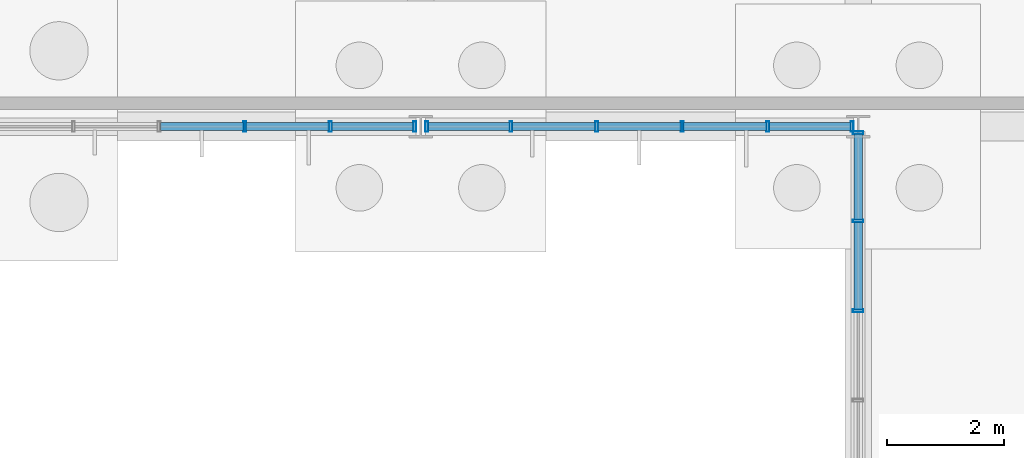
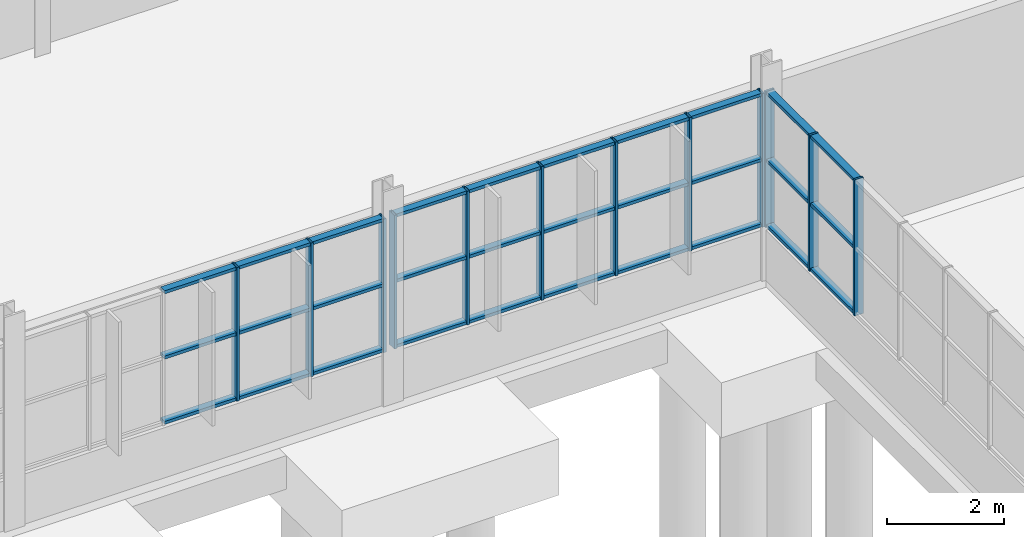
# One storey, part 63 of 136: 42 members, 3 elements without a shape of their own.
"""IFC4 building model written with IfcOpenShell, lengths in metres."""

from ifc_helpers import new_model, si_unit, direction, frame, origin, origin_2d, place, context, subcontext, project, spatial, hollow_rectangle, extrude, material, layer, layer_set, material_profile, profile_set, type_object, element, aggregate, save


model = new_model("IFC4")

# Units and contexts
model_context = context("Model", 3, precision=1e-05, world=origin(), true_north=direction((0.0, 1.0)))
body_context = subcontext(model_context, "Body", "Model", "MODEL_VIEW")
ifc_project = project(units=[si_unit("LENGTHUNIT", "METRE"), si_unit("AREAUNIT", "SQUARE_METRE"), si_unit("VOLUMEUNIT", "CUBIC_METRE"), si_unit("PLANEANGLEUNIT", "RADIAN"), si_unit("MASSUNIT", "GRAM", prefix="KILO")], contexts=[model_context])

# Site, building, storey
site_placement = place(None, origin())
site = spatial("IfcSite", under=ifc_project, at=site_placement, CompositionType="ELEMENT")
building_placement = place(site_placement, origin())
building = spatial("IfcBuilding", under=site, at=building_placement, Name="Solvenia Promenade Tram Depot", CompositionType="ELEMENT")
storey_placement = place(building_placement, origin())
storey = spatial("IfcBuildingStorey", under=building, at=storey_placement, Name="L00", CompositionType="ELEMENT", Elevation=0.0)

# Curtain wall, members
ifc_material = material(Name="Anodized aluminium AW-6063 T6", Category="aluminium")
ifc_layer = layer(ifc_material, 0.14990234375, Name="Anodized aluminium AW-6063 T6", Category="aluminium")
ifc_layer_set = layer_set([ifc_layer], Name="Anodized aluminium AW-6063 T6")
curtain_wall_type = type_object("IfcCurtainWallType", Name="CW-Court-1500", PredefinedType="NOTDEFINED", material=ifc_layer_set)
curtain_wall_1_placement = place(storey_placement, origin())
curtain_wall_1 = element("IfcCurtainWall", 1, at=curtain_wall_1_placement, inside=storey, type_object=curtain_wall_type, Name="Curtain Wall CW-V1S0-07", PredefinedType="NOTDEFINED")
ifc_material_profile_1 = material_profile(ifc_material, hollow_rectangle(XDim=0.179931640625, YDim=0.050048828125, WallThickness=0.00390625, at=origin_2d()), Name="ALU-M2", Category="aluminium")
ifc_profile_set_1 = profile_set([ifc_material_profile_1], Name="Anodized aluminium AW-6063 T6")
member_type_1 = type_object("IfcMemberType", Name="CWM-Mullion-2", PredefinedType="MULLION", material=ifc_profile_set_1)
member_1_placement = place(storey_placement, frame((94.48388671875, 66.0, 1.050048828125), z_axis=(0.0, 0.0, 1.0), x_axis=(0.0, 1.0, 0.0)))
member_1 = element("IfcMember", 2, at=member_1_placement, type_object=member_type_1, Name="CW-5 mullion 4", PredefinedType="MULLION", context=body_context, shape_type="SweptSolid", body=[
    extrude(hollow_rectangle(XDim=0.179931640625, YDim=0.050048828125, WallThickness=0.00390625, at=origin_2d()), origin(), (0.0, 0.0, 1.0), 2.800048828125),
])
member_2_placement = place(storey_placement, frame((95.951904296875, 66.0, 1.050048828125), z_axis=(0.0, 0.0, 1.0), x_axis=(0.0, 1.0, 0.0)))
member_2 = element("IfcMember", 3, at=member_2_placement, type_object=member_type_1, Name="CW-5 mullion 5", PredefinedType="MULLION", context=body_context, shape_type="SweptSolid", body=[
    extrude(hollow_rectangle(XDim=0.179931640625, YDim=0.050048828125, WallThickness=0.00390625, at=origin_2d()), origin(), (0.0, 0.0, 1.0), 2.800048828125),
])
member_3_placement = place(storey_placement, frame((97.39501953125, 66.0, 1.050048828125), z_axis=(0.0, 0.0, 1.0), x_axis=(0.0, 1.0, 0.0)))
member_3 = element("IfcMember", 4, at=member_3_placement, type_object=member_type_1, Name="CW-5 mullion 6", PredefinedType="MULLION", context=body_context, shape_type="SweptSolid", body=[
    extrude(hollow_rectangle(XDim=0.179931640625, YDim=0.050048828125, WallThickness=0.00390625, at=origin_2d()), origin(), (0.0, 0.0, 1.0), 2.800048828125),
])

curtain_wall_2_placement = place(storey_placement, origin())
curtain_wall_2 = element("IfcCurtainWall", 5, at=curtain_wall_2_placement, inside=storey, type_object=curtain_wall_type, Name="Curtain Wall CW-V1S0-08", PredefinedType="NOTDEFINED")
member_4_placement = place(storey_placement, frame((97.60498046875, 66.0, 1.050048828125), z_axis=(0.0, 0.0, 1.0), x_axis=(0.0, 1.0, 0.0)))
member_4 = element("IfcMember", 6, at=member_4_placement, type_object=member_type_1, Name="CW-5 mullion 1", PredefinedType="MULLION", context=body_context, shape_type="SweptSolid", body=[
    extrude(hollow_rectangle(XDim=0.179931640625, YDim=0.050048828125, WallThickness=0.00390625, at=origin_2d()), origin(), (0.0, 0.0, 1.0), 2.800048828125),
])
member_5_placement = place(storey_placement, frame((99.048095703125, 66.0, 1.050048828125), z_axis=(0.0, 0.0, 1.0), x_axis=(0.0, 1.0, 0.0)))
member_5 = element("IfcMember", 7, at=member_5_placement, type_object=member_type_1, Name="CW-5 mullion 2", PredefinedType="MULLION", context=body_context, shape_type="SweptSolid", body=[
    extrude(hollow_rectangle(XDim=0.179931640625, YDim=0.050048828125, WallThickness=0.00390625, at=origin_2d()), origin(), (0.0, 0.0, 1.0), 2.800048828125),
])
member_6_placement = place(storey_placement, frame((100.51611328125, 66.0, 1.050048828125), z_axis=(0.0, 0.0, 1.0), x_axis=(0.0, 1.0, 0.0)))
member_6 = element("IfcMember", 8, at=member_6_placement, type_object=member_type_1, Name="CW-5 mullion 3", PredefinedType="MULLION", context=body_context, shape_type="SweptSolid", body=[
    extrude(hollow_rectangle(XDim=0.179931640625, YDim=0.050048828125, WallThickness=0.00390625, at=origin_2d()), origin(), (0.0, 0.0, 1.0), 2.800048828125),
])
member_7_placement = place(storey_placement, frame((101.98388671875, 66.0, 1.050048828125), z_axis=(0.0, 0.0, 1.0), x_axis=(0.0, 1.0, 0.0)))
member_7 = element("IfcMember", 9, at=member_7_placement, type_object=member_type_1, Name="CW-5 mullion 4", PredefinedType="MULLION", context=body_context, shape_type="SweptSolid", body=[
    extrude(hollow_rectangle(XDim=0.179931640625, YDim=0.050048828125, WallThickness=0.00390625, at=origin_2d()), origin(), (0.0, 0.0, 1.0), 2.800048828125),
])
member_8_placement = place(storey_placement, frame((103.451904296875, 66.0, 1.050048828125), z_axis=(0.0, 0.0, 1.0), x_axis=(0.0, 1.0, 0.0)))
member_8 = element("IfcMember", 10, at=member_8_placement, type_object=member_type_1, Name="CW-5 mullion 5", PredefinedType="MULLION", context=body_context, shape_type="SweptSolid", body=[
    extrude(hollow_rectangle(XDim=0.179931640625, YDim=0.050048828125, WallThickness=0.00390625, at=origin_2d()), origin(), (0.0, 0.0, 1.0), 2.800048828125),
])
member_9_placement = place(storey_placement, frame((104.89501953125, 66.0, 1.050048828125), z_axis=(0.0, 0.0, 1.0), x_axis=(0.0, 1.0, 0.0)))
member_9 = element("IfcMember", 11, at=member_9_placement, type_object=member_type_1, Name="CW-5 mullion 6", PredefinedType="MULLION", context=body_context, shape_type="SweptSolid", body=[
    extrude(hollow_rectangle(XDim=0.179931640625, YDim=0.050048828125, WallThickness=0.00390625, at=origin_2d()), origin(), (0.0, 0.0, 1.0), 2.800048828125),
])

curtain_wall_3_placement = place(storey_placement, origin())
curtain_wall_3 = element("IfcCurtainWall", 12, at=curtain_wall_3_placement, inside=storey, type_object=curtain_wall_type, Name="Curtain Wall CW-V2W-L0-2", PredefinedType="NOTDEFINED")
member_10_placement = place(storey_placement, frame((105.0, 62.844482421875, 1.050048828125), z_axis=(0.0, 0.0, 1.0), x_axis=(-1.0, 0.0, 0.0)))
member_10 = element("IfcMember", 13, at=member_10_placement, type_object=member_type_1, Name="CW-5 mullion 8", PredefinedType="MULLION", context=body_context, shape_type="SweptSolid", body=[
    extrude(hollow_rectangle(XDim=0.179931640625, YDim=0.050048828125, WallThickness=0.00390625, at=origin_2d()), origin(), (0.0, 0.0, 1.0), 2.849853515625),
])
member_11_placement = place(storey_placement, frame((105.0, 64.38232421875, 1.050048828125), z_axis=(0.0, 0.0, 1.0), x_axis=(-1.0, 0.0, 0.0)))
member_11 = element("IfcMember", 14, at=member_11_placement, type_object=member_type_1, Name="CW-5 mullion 9", PredefinedType="MULLION", context=body_context, shape_type="SweptSolid", body=[
    extrude(hollow_rectangle(XDim=0.179931640625, YDim=0.050048828125, WallThickness=0.00390625, at=origin_2d()), origin(), (0.0, 0.0, 1.0), 2.849853515625),
])
member_12_placement = place(storey_placement, frame((105.0, 65.89501953125, 1.050048828125), z_axis=(0.0, 0.0, 1.0), x_axis=(-1.0, 0.0, 0.0)))
member_12 = element("IfcMember", 15, at=member_12_placement, type_object=member_type_1, Name="CW-5 mullion 10", PredefinedType="MULLION", context=body_context, shape_type="SweptSolid", body=[
    extrude(hollow_rectangle(XDim=0.179931640625, YDim=0.050048828125, WallThickness=0.00390625, at=origin_2d()), origin(), (0.0, 0.0, 1.0), 2.849853515625),
])

# Member
ifc_material_profile_2 = material_profile(ifc_material, hollow_rectangle(XDim=0.139892578125, YDim=0.06494140625, WallThickness=0.00390625, at=origin_2d()), Name="ALU-T2", Category="aluminium")
ifc_profile_set_2 = profile_set([ifc_material_profile_2], Name="Anodized aluminium AW-6063 T6")
member_type_2 = type_object("IfcMemberType", Name="CWT-Transom-2", PredefinedType="USERDEFINED", material=ifc_profile_set_2)
member_13_placement = place(storey_placement, frame((93.041015625, 66.0, 1.08251953125), z_axis=(1.0, 0.0, 0.0), x_axis=(0.0, 1.0, 0.0)))
member_13 = element("IfcMember", 16, at=member_13_placement, type_object=member_type_2, Name="CW-5 transom 3.1", ObjectType="TRANSOM", PredefinedType="USERDEFINED", context=body_context, shape_type="SweptSolid", body=[
    extrude(hollow_rectangle(XDim=0.139892578125, YDim=0.06494140625, WallThickness=0.00390625, at=origin_2d()), origin(), (0.0, 0.0, 1.0), 1.41796875),
])

member_14_placement = place(storey_placement, frame((93.041015625, 66.0, 2.449951171875), z_axis=(1.0, 0.0, 0.0), x_axis=(0.0, 1.0, 0.0)))
member_14 = element("IfcMember", 17, at=member_14_placement, type_object=member_type_2, Name="CW-5 transom 3.2", ObjectType="TRANSOM", PredefinedType="USERDEFINED", context=body_context, shape_type="SweptSolid", body=[
    extrude(hollow_rectangle(XDim=0.139892578125, YDim=0.06494140625, WallThickness=0.00390625, at=origin_2d()), origin(), (0.0, 0.0, 1.0), 1.41796875),
])

member_15_placement = place(storey_placement, frame((93.041015625, 66.0, 3.8173828125), z_axis=(1.0, 0.0, 0.0), x_axis=(0.0, 1.0, 0.0)))
member_15 = element("IfcMember", 18, at=member_15_placement, type_object=member_type_2, Name="CW-5 transom 3.3", ObjectType="TRANSOM", PredefinedType="USERDEFINED", context=body_context, shape_type="SweptSolid", body=[
    extrude(hollow_rectangle(XDim=0.139892578125, YDim=0.06494140625, WallThickness=0.00390625, at=origin_2d()), origin(), (0.0, 0.0, 1.0), 1.41796875),
])

member_16_placement = place(storey_placement, frame((94.509033203125, 66.0, 1.08251953125), z_axis=(1.0, 0.0, 0.0), x_axis=(0.0, 1.0, 0.0)))
member_16 = element("IfcMember", 19, at=member_16_placement, type_object=member_type_2, Name="CW-5 transom 4.1", ObjectType="TRANSOM", PredefinedType="USERDEFINED", context=body_context, shape_type="SweptSolid", body=[
    extrude(hollow_rectangle(XDim=0.139892578125, YDim=0.06494140625, WallThickness=0.00390625, at=origin_2d()), origin(), (0.0, 0.0, 1.0), 1.41796875),
])

member_17_placement = place(storey_placement, frame((94.509033203125, 66.0, 2.449951171875), z_axis=(1.0, 0.0, 0.0), x_axis=(0.0, 1.0, 0.0)))
member_17 = element("IfcMember", 20, at=member_17_placement, type_object=member_type_2, Name="CW-5 transom 4.2", ObjectType="TRANSOM", PredefinedType="USERDEFINED", context=body_context, shape_type="SweptSolid", body=[
    extrude(hollow_rectangle(XDim=0.139892578125, YDim=0.06494140625, WallThickness=0.00390625, at=origin_2d()), origin(), (0.0, 0.0, 1.0), 1.41796875),
])

member_18_placement = place(storey_placement, frame((94.509033203125, 66.0, 3.8173828125), z_axis=(1.0, 0.0, 0.0), x_axis=(0.0, 1.0, 0.0)))
member_18 = element("IfcMember", 21, at=member_18_placement, type_object=member_type_2, Name="CW-5 transom 4.3", ObjectType="TRANSOM", PredefinedType="USERDEFINED", context=body_context, shape_type="SweptSolid", body=[
    extrude(hollow_rectangle(XDim=0.139892578125, YDim=0.06494140625, WallThickness=0.00390625, at=origin_2d()), origin(), (0.0, 0.0, 1.0), 1.41796875),
])

member_19_placement = place(storey_placement, frame((95.97705078125, 66.0, 1.08251953125), z_axis=(1.0, 0.0, 0.0), x_axis=(0.0, 1.0, 0.0)))
member_19 = element("IfcMember", 22, at=member_19_placement, type_object=member_type_2, Name="CW-5 transom 5.1", ObjectType="TRANSOM", PredefinedType="USERDEFINED", context=body_context, shape_type="SweptSolid", body=[
    extrude(hollow_rectangle(XDim=0.139892578125, YDim=0.06494140625, WallThickness=0.00390625, at=origin_2d()), origin(), (0.0, 0.0, 1.0), 1.39306640625),
])

member_20_placement = place(storey_placement, frame((95.97705078125, 66.0, 2.449951171875), z_axis=(1.0, 0.0, 0.0), x_axis=(0.0, 1.0, 0.0)))
member_20 = element("IfcMember", 23, at=member_20_placement, type_object=member_type_2, Name="CW-5 transom 5.2", ObjectType="TRANSOM", PredefinedType="USERDEFINED", context=body_context, shape_type="SweptSolid", body=[
    extrude(hollow_rectangle(XDim=0.139892578125, YDim=0.06494140625, WallThickness=0.00390625, at=origin_2d()), origin(), (0.0, 0.0, 1.0), 1.39306640625),
])

member_21_placement = place(storey_placement, frame((95.97705078125, 66.0, 3.8173828125), z_axis=(1.0, 0.0, 0.0), x_axis=(0.0, 1.0, 0.0)))
member_21 = element("IfcMember", 24, at=member_21_placement, type_object=member_type_2, Name="CW-5 transom 5.3", ObjectType="TRANSOM", PredefinedType="USERDEFINED", context=body_context, shape_type="SweptSolid", body=[
    extrude(hollow_rectangle(XDim=0.139892578125, YDim=0.06494140625, WallThickness=0.00390625, at=origin_2d()), origin(), (0.0, 0.0, 1.0), 1.39306640625),
])

aggregate(curtain_wall_1, [member_1, member_2, member_3, member_13, member_14, member_15, member_16, member_17, member_18, member_19, member_20, member_21])

member_22_placement = place(storey_placement, frame((97.6298828125, 66.0, 1.08251953125), z_axis=(1.0, 0.0, 0.0), x_axis=(0.0, 1.0, 0.0)))
member_22 = element("IfcMember", 25, at=member_22_placement, type_object=member_type_2, Name="CW-5 transom 1.1", ObjectType="TRANSOM", PredefinedType="USERDEFINED", context=body_context, shape_type="SweptSolid", body=[
    extrude(hollow_rectangle(XDim=0.139892578125, YDim=0.06494140625, WallThickness=0.00390625, at=origin_2d()), origin(), (0.0, 0.0, 1.0), 1.39306640625),
])

member_23_placement = place(storey_placement, frame((97.6298828125, 66.0, 2.449951171875), z_axis=(1.0, 0.0, 0.0), x_axis=(0.0, 1.0, 0.0)))
member_23 = element("IfcMember", 26, at=member_23_placement, type_object=member_type_2, Name="CW-5 transom 1.2", ObjectType="TRANSOM", PredefinedType="USERDEFINED", context=body_context, shape_type="SweptSolid", body=[
    extrude(hollow_rectangle(XDim=0.139892578125, YDim=0.06494140625, WallThickness=0.00390625, at=origin_2d()), origin(), (0.0, 0.0, 1.0), 1.39306640625),
])

member_24_placement = place(storey_placement, frame((97.6298828125, 66.0, 3.8173828125), z_axis=(1.0, 0.0, 0.0), x_axis=(0.0, 1.0, 0.0)))
member_24 = element("IfcMember", 27, at=member_24_placement, type_object=member_type_2, Name="CW-5 transom 1.3", ObjectType="TRANSOM", PredefinedType="USERDEFINED", context=body_context, shape_type="SweptSolid", body=[
    extrude(hollow_rectangle(XDim=0.139892578125, YDim=0.06494140625, WallThickness=0.00390625, at=origin_2d()), origin(), (0.0, 0.0, 1.0), 1.39306640625),
])

member_25_placement = place(storey_placement, frame((99.072998046875, 66.0, 1.08251953125), z_axis=(1.0, 0.0, 0.0), x_axis=(0.0, 1.0, 0.0)))
member_25 = element("IfcMember", 28, at=member_25_placement, type_object=member_type_2, Name="CW-5 transom 2.1", ObjectType="TRANSOM", PredefinedType="USERDEFINED", context=body_context, shape_type="SweptSolid", body=[
    extrude(hollow_rectangle(XDim=0.139892578125, YDim=0.06494140625, WallThickness=0.00390625, at=origin_2d()), origin(), (0.0, 0.0, 1.0), 1.41796875),
])

member_26_placement = place(storey_placement, frame((99.072998046875, 66.0, 2.449951171875), z_axis=(1.0, 0.0, 0.0), x_axis=(0.0, 1.0, 0.0)))
member_26 = element("IfcMember", 29, at=member_26_placement, type_object=member_type_2, Name="CW-5 transom 2.2", ObjectType="TRANSOM", PredefinedType="USERDEFINED", context=body_context, shape_type="SweptSolid", body=[
    extrude(hollow_rectangle(XDim=0.139892578125, YDim=0.06494140625, WallThickness=0.00390625, at=origin_2d()), origin(), (0.0, 0.0, 1.0), 1.41796875),
])

member_27_placement = place(storey_placement, frame((99.072998046875, 66.0, 3.8173828125), z_axis=(1.0, 0.0, 0.0), x_axis=(0.0, 1.0, 0.0)))
member_27 = element("IfcMember", 30, at=member_27_placement, type_object=member_type_2, Name="CW-5 transom 2.3", ObjectType="TRANSOM", PredefinedType="USERDEFINED", context=body_context, shape_type="SweptSolid", body=[
    extrude(hollow_rectangle(XDim=0.139892578125, YDim=0.06494140625, WallThickness=0.00390625, at=origin_2d()), origin(), (0.0, 0.0, 1.0), 1.41796875),
])

member_28_placement = place(storey_placement, frame((100.541015625, 66.0, 1.08251953125), z_axis=(1.0, 0.0, 0.0), x_axis=(0.0, 1.0, 0.0)))
member_28 = element("IfcMember", 31, at=member_28_placement, type_object=member_type_2, Name="CW-5 transom 3.1", ObjectType="TRANSOM", PredefinedType="USERDEFINED", context=body_context, shape_type="SweptSolid", body=[
    extrude(hollow_rectangle(XDim=0.139892578125, YDim=0.06494140625, WallThickness=0.00390625, at=origin_2d()), origin(), (0.0, 0.0, 1.0), 1.41796875),
])

member_29_placement = place(storey_placement, frame((100.541015625, 66.0, 2.449951171875), z_axis=(1.0, 0.0, 0.0), x_axis=(0.0, 1.0, 0.0)))
member_29 = element("IfcMember", 32, at=member_29_placement, type_object=member_type_2, Name="CW-5 transom 3.2", ObjectType="TRANSOM", PredefinedType="USERDEFINED", context=body_context, shape_type="SweptSolid", body=[
    extrude(hollow_rectangle(XDim=0.139892578125, YDim=0.06494140625, WallThickness=0.00390625, at=origin_2d()), origin(), (0.0, 0.0, 1.0), 1.41796875),
])

member_30_placement = place(storey_placement, frame((100.541015625, 66.0, 3.8173828125), z_axis=(1.0, 0.0, 0.0), x_axis=(0.0, 1.0, 0.0)))
member_30 = element("IfcMember", 33, at=member_30_placement, type_object=member_type_2, Name="CW-5 transom 3.3", ObjectType="TRANSOM", PredefinedType="USERDEFINED", context=body_context, shape_type="SweptSolid", body=[
    extrude(hollow_rectangle(XDim=0.139892578125, YDim=0.06494140625, WallThickness=0.00390625, at=origin_2d()), origin(), (0.0, 0.0, 1.0), 1.41796875),
])

member_31_placement = place(storey_placement, frame((102.009033203125, 66.0, 1.08251953125), z_axis=(1.0, 0.0, 0.0), x_axis=(0.0, 1.0, 0.0)))
member_31 = element("IfcMember", 34, at=member_31_placement, type_object=member_type_2, Name="CW-5 transom 4.1", ObjectType="TRANSOM", PredefinedType="USERDEFINED", context=body_context, shape_type="SweptSolid", body=[
    extrude(hollow_rectangle(XDim=0.139892578125, YDim=0.06494140625, WallThickness=0.00390625, at=origin_2d()), origin(), (0.0, 0.0, 1.0), 1.41796875),
])

member_32_placement = place(storey_placement, frame((102.009033203125, 66.0, 2.449951171875), z_axis=(1.0, 0.0, 0.0), x_axis=(0.0, 1.0, 0.0)))
member_32 = element("IfcMember", 35, at=member_32_placement, type_object=member_type_2, Name="CW-5 transom 4.2", ObjectType="TRANSOM", PredefinedType="USERDEFINED", context=body_context, shape_type="SweptSolid", body=[
    extrude(hollow_rectangle(XDim=0.139892578125, YDim=0.06494140625, WallThickness=0.00390625, at=origin_2d()), origin(), (0.0, 0.0, 1.0), 1.41796875),
])

member_33_placement = place(storey_placement, frame((102.009033203125, 66.0, 3.8173828125), z_axis=(1.0, 0.0, 0.0), x_axis=(0.0, 1.0, 0.0)))
member_33 = element("IfcMember", 36, at=member_33_placement, type_object=member_type_2, Name="CW-5 transom 4.3", ObjectType="TRANSOM", PredefinedType="USERDEFINED", context=body_context, shape_type="SweptSolid", body=[
    extrude(hollow_rectangle(XDim=0.139892578125, YDim=0.06494140625, WallThickness=0.00390625, at=origin_2d()), origin(), (0.0, 0.0, 1.0), 1.41796875),
])

member_34_placement = place(storey_placement, frame((103.47705078125, 66.0, 1.08251953125), z_axis=(1.0, 0.0, 0.0), x_axis=(0.0, 1.0, 0.0)))
member_34 = element("IfcMember", 37, at=member_34_placement, type_object=member_type_2, Name="CW-5 transom 5.1", ObjectType="TRANSOM", PredefinedType="USERDEFINED", context=body_context, shape_type="SweptSolid", body=[
    extrude(hollow_rectangle(XDim=0.139892578125, YDim=0.06494140625, WallThickness=0.00390625, at=origin_2d()), origin(), (0.0, 0.0, 1.0), 1.39306640625),
])

member_35_placement = place(storey_placement, frame((103.47705078125, 66.0, 2.449951171875), z_axis=(1.0, 0.0, 0.0), x_axis=(0.0, 1.0, 0.0)))
member_35 = element("IfcMember", 38, at=member_35_placement, type_object=member_type_2, Name="CW-5 transom 5.2", ObjectType="TRANSOM", PredefinedType="USERDEFINED", context=body_context, shape_type="SweptSolid", body=[
    extrude(hollow_rectangle(XDim=0.139892578125, YDim=0.06494140625, WallThickness=0.00390625, at=origin_2d()), origin(), (0.0, 0.0, 1.0), 1.39306640625),
])

member_36_placement = place(storey_placement, frame((103.47705078125, 66.0, 3.8173828125), z_axis=(1.0, 0.0, 0.0), x_axis=(0.0, 1.0, 0.0)))
member_36 = element("IfcMember", 39, at=member_36_placement, type_object=member_type_2, Name="CW-5 transom 5.3", ObjectType="TRANSOM", PredefinedType="USERDEFINED", context=body_context, shape_type="SweptSolid", body=[
    extrude(hollow_rectangle(XDim=0.139892578125, YDim=0.06494140625, WallThickness=0.00390625, at=origin_2d()), origin(), (0.0, 0.0, 1.0), 1.39306640625),
])

aggregate(curtain_wall_2, [member_4, member_5, member_6, member_7, member_8, member_9, member_22, member_23, member_24, member_25, member_26, member_27, member_28, member_29, member_30, member_31, member_32, member_33, member_34, member_35, member_36])

member_37_placement = place(storey_placement, frame((105.0, 62.869384765625, 1.08251953125), z_axis=(0.0, 1.0, 0.0), x_axis=(-1.0, 0.0, 0.0)))
member_37 = element("IfcMember", 40, at=member_37_placement, type_object=member_type_2, Name="CW-5 transom 8.1", ObjectType="TRANSOM", PredefinedType="USERDEFINED", context=body_context, shape_type="SweptSolid", body=[
    extrude(hollow_rectangle(XDim=0.139892578125, YDim=0.06494140625, WallThickness=0.00390625, at=origin_2d()), origin(), (0.0, 0.0, 1.0), 1.48779296875),
])

member_38_placement = place(storey_placement, frame((105.0, 62.869384765625, 2.449951171875), z_axis=(0.0, 1.0, 0.0), x_axis=(-1.0, 0.0, 0.0)))
member_38 = element("IfcMember", 41, at=member_38_placement, type_object=member_type_2, Name="CW-5 transom 8.2", ObjectType="TRANSOM", PredefinedType="USERDEFINED", context=body_context, shape_type="SweptSolid", body=[
    extrude(hollow_rectangle(XDim=0.139892578125, YDim=0.06494140625, WallThickness=0.00390625, at=origin_2d()), origin(), (0.0, 0.0, 1.0), 1.48779296875),
])

member_39_placement = place(storey_placement, frame((105.0, 62.869384765625, 3.867431640625), z_axis=(0.0, 1.0, 0.0), x_axis=(-1.0, 0.0, 0.0)))
member_39 = element("IfcMember", 42, at=member_39_placement, type_object=member_type_2, Name="CW-5 transom 8.3", ObjectType="TRANSOM", PredefinedType="USERDEFINED", context=body_context, shape_type="SweptSolid", body=[
    extrude(hollow_rectangle(XDim=0.139892578125, YDim=0.06494140625, WallThickness=0.00390625, at=origin_2d()), origin(), (0.0, 0.0, 1.0), 1.48779296875),
])

member_40_placement = place(storey_placement, frame((105.0, 64.4072265625, 1.08251953125), z_axis=(0.0, 1.0, 0.0), x_axis=(-1.0, 0.0, 0.0)))
member_40 = element("IfcMember", 43, at=member_40_placement, type_object=member_type_2, Name="CW-5 transom 9.1", ObjectType="TRANSOM", PredefinedType="USERDEFINED", context=body_context, shape_type="SweptSolid", body=[
    extrude(hollow_rectangle(XDim=0.139892578125, YDim=0.06494140625, WallThickness=0.00390625, at=origin_2d()), origin(), (0.0, 0.0, 1.0), 1.462890625),
])

member_41_placement = place(storey_placement, frame((105.0, 64.4072265625, 2.449951171875), z_axis=(0.0, 1.0, 0.0), x_axis=(-1.0, 0.0, 0.0)))
member_41 = element("IfcMember", 44, at=member_41_placement, type_object=member_type_2, Name="CW-5 transom 9.2", ObjectType="TRANSOM", PredefinedType="USERDEFINED", context=body_context, shape_type="SweptSolid", body=[
    extrude(hollow_rectangle(XDim=0.139892578125, YDim=0.06494140625, WallThickness=0.00390625, at=origin_2d()), origin(), (0.0, 0.0, 1.0), 1.462890625),
])

member_42_placement = place(storey_placement, frame((105.0, 64.4072265625, 3.867431640625), z_axis=(0.0, 1.0, 0.0), x_axis=(-1.0, 0.0, 0.0)))
member_42 = element("IfcMember", 45, at=member_42_placement, type_object=member_type_2, Name="CW-5 transom 9.3", ObjectType="TRANSOM", PredefinedType="USERDEFINED", context=body_context, shape_type="SweptSolid", body=[
    extrude(hollow_rectangle(XDim=0.139892578125, YDim=0.06494140625, WallThickness=0.00390625, at=origin_2d()), origin(), (0.0, 0.0, 1.0), 1.462890625),
])

aggregate(curtain_wall_3, [member_10, member_11, member_12, member_37, member_38, member_39, member_40, member_41, member_42])

save(model, "model.ifc")
